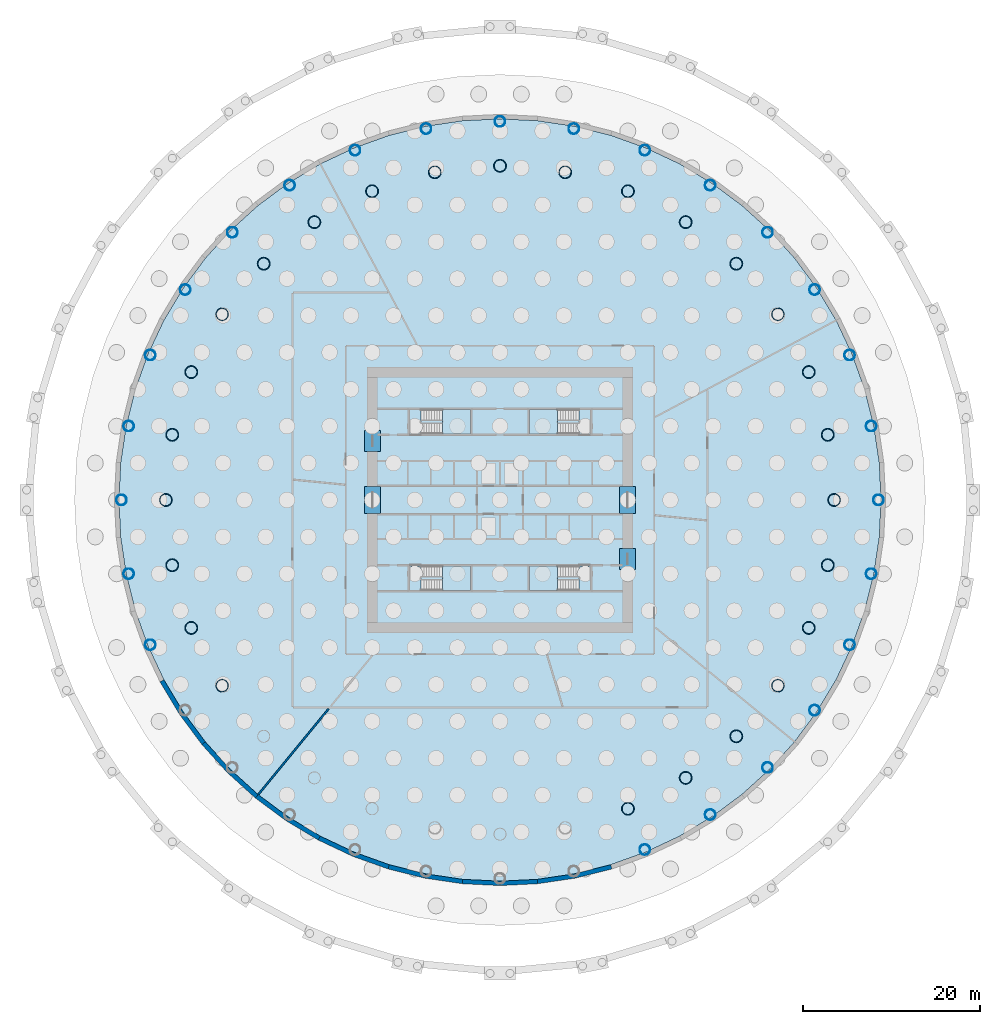
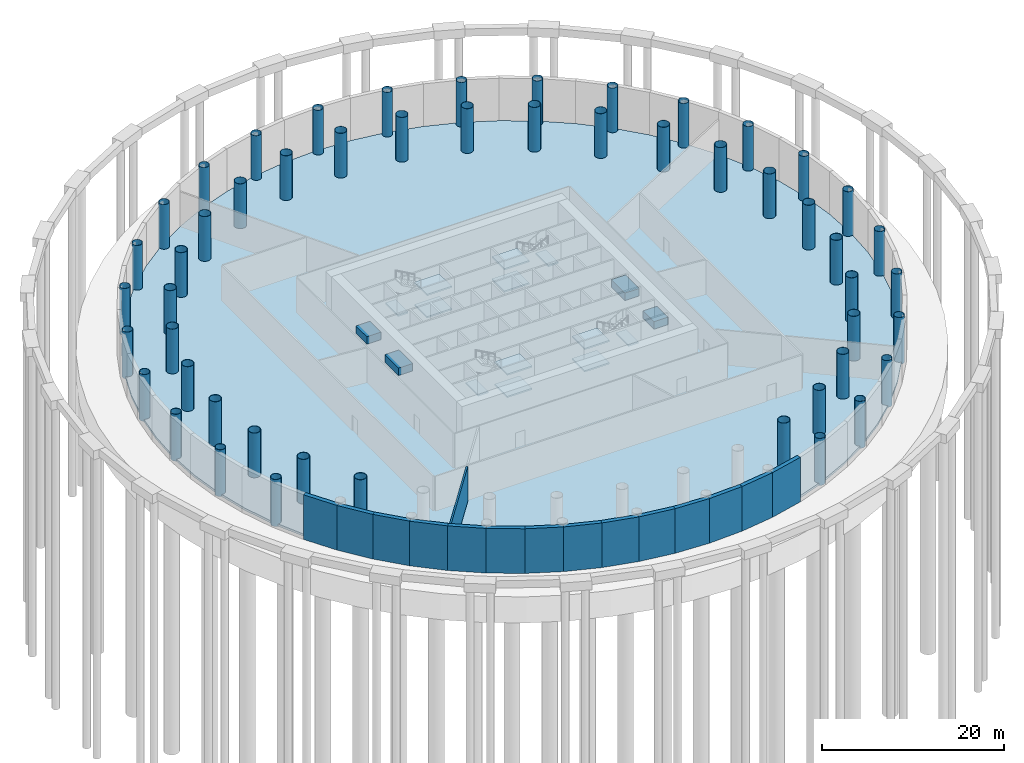
# One storey, part 4 of 12: 51 columns, 15 walls, 13 slabs, 4 beams, 4 elements without a shape of their own.
"""IFC4 building model written with IfcOpenShell, lengths in metres."""

from ifc_helpers import new_model, si_unit, direction, frame, frame_2d, origin, origin_2d, place, context, subcontext, project, spatial, polyline, rectangle, hollow_circle, outline, extrude, material, layer, layer_set, material_profile, profile_set, type_object, element, aggregate, save


model = new_model("IFC4")

# Units and contexts
model_context = context("Model", 3, precision=1e-05, world=origin(), true_north=direction((0.0, 1.0)))
body_context = subcontext(model_context, "Body", "Model", "MODEL_VIEW")
ifc_project = project(units=[si_unit("LENGTHUNIT", "METRE"), si_unit("AREAUNIT", "SQUARE_METRE"), si_unit("VOLUMEUNIT", "CUBIC_METRE"), si_unit("PLANEANGLEUNIT", "RADIAN"), si_unit("MASSUNIT", "GRAM", prefix="KILO")], contexts=[model_context])

# Site, building, storey
site_placement = place(None, origin())
site = spatial("IfcSite", under=ifc_project, at=site_placement, CompositionType="ELEMENT")
building_placement = place(site_placement, origin())
building = spatial("IfcBuilding", under=site, at=building_placement, Name="Corvane Civic Tower", CompositionType="ELEMENT")
storey_placement = place(building_placement, frame((0.0, 0.0, -6.0)))
storey = spatial("IfcBuildingStorey", under=building, at=storey_placement, Name="B1", CompositionType="ELEMENT", Elevation=-6.0)

# Columns
ifc_material_1 = material(Name="Steel ASTM A572 Gr 50", Category="steel")
ifc_material_profile_1 = material_profile(ifc_material_1, hollow_circle(Radius=0.60009765625, WallThickness=0.035888671875, at=origin_2d()), Name="CHS1200X36")
ifc_profile_set_1 = profile_set([ifc_material_profile_1], Name="Steel ASTM A572 Gr 50")
column_type_1 = type_object("IfcColumnType", Name="COMPOSITE COLUMN CHS1200X36", PredefinedType="COLUMN", material=ifc_profile_set_1)
for number, where, z_axis, x_axis, name in (
    (1, (0.0, 42.699951171875, -0.300048828125), (0.0, 0.0, 1.0), (1.0, 0.0, 0.0), "COL-B1-G01"),
    (2, (8.330322265625, 41.879638671875, -0.300048828125), (0.0, 0.0, 1.0), (1.0, 0.0, 0.0), "COL-B1-G02"),
    (3, (16.340576171875, 39.44970703125, -0.300048828125), (0.0, 0.0, 1.0), (1.0, 0.0, 0.0), "COL-B1-G03"),
    (4, (23.722900390625, 35.503662109375, -0.300048828125), (0.0, 0.0, 1.0), (1.0, 0.0, 0.0), "COL-B1-G04"),
    (5, (30.193359375, 30.193359375, -0.300048828125), (0.0, 0.0, 1.0), (1.0, 0.0, 0.0), "COL-B1-G05"),
    (6, (35.503662109375, 23.722900390625, -0.300048828125), (0.0, 0.0, 1.0), (1.0, 0.0, 0.0), "COL-B1-G06"),
    (7, (39.44970703125, 16.340576171875, -0.300048828125), (0.0, 0.0, 1.0), (1.0, 0.0, 0.0), "COL-B1-G07"),
    (8, (41.879638671875, 8.330322265625, -0.300048828125), (0.0, 0.0, 1.0), (1.0, 0.0, 0.0), "COL-B1-G08"),
    (9, (42.699951171875, 0.0, -0.300048828125), (0.0, 0.0, 1.0), (1.0, 0.0, 0.0), "COL-B1-G09"),
    (10, (41.879638671875, -8.330322265625, -0.300048828125), (0.0, 0.0, 1.0), (1.0, 0.0, 0.0), "COL-B1-G10"),
    (11, (39.44970703125, -16.340576171875, -0.300048828125), (0.0, 0.0, 1.0), (1.0, 0.0, 0.0), "COL-B1-G11"),
    (12, (35.503662109375, -23.722900390625, -0.300048828125), (0.0, 0.0, 1.0), (1.0, 0.0, 0.0), "COL-B1-G12"),
    (13, (30.193359375, -30.193359375, -0.300048828125), (0.0, 0.0, 1.0), (1.0, 0.0, 0.0), "COL-B1-G13"),
    (14, (23.722900390625, -35.503662109375, -0.300048828125), (0.0, 0.0, 1.0), (1.0, 0.0, 0.0), "COL-B1-G14"),
    (15, (16.340576171875, -39.44970703125, -0.300048828125), (0.0, 0.0, 1.0), (1.0, 0.0, 0.0), "COL-B1-G15"),
    (16, (-39.44970703125, -16.340576171875, -0.300048828125), (0.0, 0.0, 1.0), (1.0, 0.0, 0.0), "COL-B1-G23"),
    (17, (-41.879638671875, -8.330322265625, -0.300048828125), (0.0, 0.0, 1.0), (1.0, 0.0, 0.0), "COL-B1-G24"),
    (18, (-42.699951171875, 0.0, -0.300048828125), (0.0, 0.0, 1.0), (1.0, 0.0, 0.0), "COL-B1-G25"),
    (19, (-41.879638671875, 8.330322265625, -0.300048828125), (0.0, 0.0, 1.0), (1.0, 0.0, 0.0), "COL-B1-G26"),
    (20, (-39.44970703125, 16.340576171875, -0.300048828125), (0.0, 0.0, 1.0), (1.0, 0.0, 0.0), "COL-B1-G27"),
    (21, (-35.503662109375, 23.722900390625, -0.300048828125), (0.0, 0.0, 1.0), (1.0, 0.0, 0.0), "COL-B1-G28"),
    (22, (-30.193359375, 30.193359375, -0.300048828125), (0.0, 0.0, 1.0), (1.0, 0.0, 0.0), "COL-B1-G29"),
    (23, (-23.722900390625, 35.503662109375, -0.300048828125), (0.0, 0.0, 1.0), (1.0, 0.0, 0.0), "COL-B1-G30"),
    (24, (-16.340576171875, 39.44970703125, -0.300048828125), (0.0, 0.0, 1.0), (1.0, 0.0, 0.0), "COL-B1-G31"),
    (25, (-8.330322265625, 41.879638671875, -0.300048828125), (0.0, 0.0, 1.0), (1.0, 0.0, 0.0), "COL-B1-G32"),
):
    element("IfcColumn", number, at=place(storey_placement, frame(where, z_axis=z_axis, x_axis=x_axis)), inside=storey, type_object=column_type_1, Name=name, PredefinedType="COLUMN", context=body_context, shape_type="SweptSolid", body=[
        extrude(hollow_circle(Radius=0.60009765625, WallThickness=0.035888671875, at=origin_2d()), origin(), (0.0, 0.0, 1.0), 6.300048828125),
    ])
ifc_material_2 = material(Name="Steel ASTM A572 Gr 50", Category="steel")
ifc_material_profile_2 = material_profile(ifc_material_2, hollow_circle(Radius=0.699951171875, WallThickness=0.0400390625, at=origin_2d()), Name="CHS1400X40")
ifc_profile_set_2 = profile_set([ifc_material_profile_2], Name="Steel ASTM A572 Gr 50")
column_type_2 = type_object("IfcColumnType", Name="COMPOSITE COLUMN CHS1400X40", PredefinedType="COLUMN", material=ifc_profile_set_2)
for number, where, z_axis, x_axis, name in (
    (26, (0.0, 37.699951171875, -0.300048828125), (0.0, 0.0, 1.0), (1.0, 0.0, 0.0), "COL-B1-A01"),
    (27, (7.35498046875, 36.9755859375, -0.300048828125), (0.0, 0.0, 1.0), (1.0, 0.0, 0.0), "COL-B1-A02"),
    (28, (14.42724609375, 34.830322265625, -0.300048828125), (0.0, 0.0, 1.0), (1.0, 0.0, 0.0), "COL-B1-A03"),
    (29, (20.945068359375, 31.346435546875, -0.300048828125), (0.0, 0.0, 1.0), (1.0, 0.0, 0.0), "COL-B1-A04"),
    (30, (26.657958984375, 26.657958984375, -0.300048828125), (0.0, 0.0, 1.0), (1.0, 0.0, 0.0), "COL-B1-A05"),
    (31, (31.346435546875, 20.945068359375, -0.300048828125), (0.0, 0.0, 1.0), (1.0, 0.0, 0.0), "COL-B1-A06"),
    (32, (34.830322265625, 14.42724609375, -0.300048828125), (0.0, 0.0, 1.0), (1.0, 0.0, 0.0), "COL-B1-A07"),
    (33, (36.9755859375, 7.35498046875, -0.300048828125), (0.0, 0.0, 1.0), (1.0, 0.0, 0.0), "COL-B1-A08"),
    (34, (37.699951171875, 0.0, -0.300048828125), (0.0, 0.0, 1.0), (1.0, 0.0, 0.0), "COL-B1-A09"),
    (35, (36.9755859375, -7.35498046875, -0.300048828125), (0.0, 0.0, 1.0), (1.0, 0.0, 0.0), "COL-B1-A10"),
    (36, (34.830322265625, -14.42724609375, -0.300048828125), (0.0, 0.0, 1.0), (1.0, 0.0, 0.0), "COL-B1-A11"),
    (37, (31.346435546875, -20.945068359375, -0.300048828125), (0.0, 0.0, 1.0), (1.0, 0.0, 0.0), "COL-B1-A12"),
    (38, (26.657958984375, -26.657958984375, -0.300048828125), (0.0, 0.0, 1.0), (1.0, 0.0, 0.0), "COL-B1-A13"),
    (39, (20.945068359375, -31.346435546875, -0.300048828125), (0.0, 0.0, 1.0), (1.0, 0.0, 0.0), "COL-B1-A14"),
    (40, (14.42724609375, -34.830322265625, -0.300048828125), (0.0, 0.0, 1.0), (1.0, 0.0, 0.0), "COL-B1-A15"),
    (41, (-31.346435546875, -20.945068359375, -0.300048828125), (0.0, 0.0, 1.0), (1.0, 0.0, 0.0), "COL-B1-A22"),
    (42, (-34.830322265625, -14.42724609375, -0.300048828125), (0.0, 0.0, 1.0), (1.0, 0.0, 0.0), "COL-B1-A23"),
    (43, (-36.9755859375, -7.35498046875, -0.300048828125), (0.0, 0.0, 1.0), (1.0, 0.0, 0.0), "COL-B1-A24"),
    (44, (-37.699951171875, 0.0, -0.300048828125), (0.0, 0.0, 1.0), (1.0, 0.0, 0.0), "COL-B1-A25"),
    (45, (-36.9755859375, 7.35498046875, -0.300048828125), (0.0, 0.0, 1.0), (1.0, 0.0, 0.0), "COL-B1-A26"),
    (46, (-34.830322265625, 14.42724609375, -0.300048828125), (0.0, 0.0, 1.0), (1.0, 0.0, 0.0), "COL-B1-A27"),
    (47, (-31.346435546875, 20.945068359375, -0.300048828125), (0.0, 0.0, 1.0), (1.0, 0.0, 0.0), "COL-B1-A28"),
    (48, (-26.657958984375, 26.657958984375, -0.300048828125), (0.0, 0.0, 1.0), (1.0, 0.0, 0.0), "COL-B1-A29"),
    (49, (-20.945068359375, 31.346435546875, -0.300048828125), (0.0, 0.0, 1.0), (1.0, 0.0, 0.0), "COL-B1-A30"),
    (50, (-14.42724609375, 34.830322265625, -0.300048828125), (0.0, 0.0, 1.0), (1.0, 0.0, 0.0), "COL-B1-A31"),
    (51, (-7.35498046875, 36.9755859375, -0.300048828125), (0.0, 0.0, 1.0), (1.0, 0.0, 0.0), "COL-B1-A32"),
):
    element("IfcColumn", number, at=place(storey_placement, frame(where, z_axis=z_axis, x_axis=x_axis)), inside=storey, type_object=column_type_2, Name=name, PredefinedType="COLUMN", context=body_context, shape_type="SweptSolid", body=[
        extrude(hollow_circle(Radius=0.699951171875, WallThickness=0.0400390625, at=origin_2d()), origin(), (0.0, 0.0, 1.0), 6.300048828125),
    ])

# Beams
ifc_material_3 = material(Name="Concrete C80/95", Category="concrete")
ifc_material_profile_3 = material_profile(ifc_material_3, rectangle(XDim=1.800048828125, YDim=1.0, at=origin_2d()), Name="COUPLING BEAM 1800X1000")
ifc_profile_set_3 = profile_set([ifc_material_profile_3], Name="Concrete C80/95")
beam_type = type_object("IfcBeamType", Name="COUPLING BEAM COUPLING BEAM 1800X1000", PredefinedType="BEAM", material=ifc_profile_set_3)
for number, where, z_axis, x_axis, name in (
    (52, (-14.39990234375, -1.5, 2.60009765625), (0.0, 1.0, 0.0), (-1.0, 0.0, 0.0), "BM-B1-cpl-CW-LW"),
    (53, (14.39990234375, -1.5, 2.60009765625), (0.0, 1.0, 0.0), (-1.0, 0.0, 0.0), "BM-B1-cpl-CW-LE"),
):
    element("IfcBeam", number, at=place(storey_placement, frame(where, z_axis=z_axis, x_axis=x_axis)), inside=storey, type_object=beam_type, Name=name, PredefinedType="BEAM", context=body_context, shape_type="SweptSolid", body=[
        extrude(rectangle(XDim=1.800048828125, YDim=1.0, at=origin_2d()), origin(), (0.0, 0.0, 1.0), 3.0),
    ])
for number, where, z_axis, x_axis, name in (
    (54, (-14.39990234375, 5.449951171875, 2.60009765625), (0.0, 1.0, 0.0), (-1.0, 0.0, 0.0), "BM-B1-cpl-CW-WN"),
    (55, (14.39990234375, -7.85009765625, 2.60009765625), (0.0, 1.0, 0.0), (-1.0, 0.0, 0.0), "BM-B1-cpl-CW-ES"),
):
    element("IfcBeam", number, at=place(storey_placement, frame(where, z_axis=z_axis, x_axis=x_axis)), inside=storey, type_object=beam_type, Name=name, PredefinedType="BEAM", context=body_context, shape_type="SweptSolid", body=[
        extrude(rectangle(XDim=1.800048828125, YDim=1.0, at=origin_2d()), origin(), (0.0, 0.0, 1.0), 2.400146484375),
    ])

# Slab
ifc_material_4 = material(Name="Concrete C40/50", Category="concrete")
ifc_layer_1 = layer(ifc_material_4, 0.300048828125)
ifc_layer_set_1 = layer_set([ifc_layer_1], Name="Concrete C40/50")
slab_type_1 = type_object("IfcSlabType", Name="BASEMENT FLOOR SLAB 300", PredefinedType="BASESLAB", material=ifc_layer_set_1)
slab_1_placement = place(storey_placement, frame((0.0, 0.0, -0.300048828125)))
element("IfcSlab", 56, at=slab_1_placement, inside=storey, type_object=slab_type_1, Name="SLB-B1", PredefinedType="BASESLAB", context=body_context, shape_type="SweptSolid", body=[
    extrude(outline(polyline([(0.0, 43.0), (-4.21484375, 42.79296875), (-8.388916015625, 42.173828125), (-12.482177734375, 41.1484375), (-16.455322265625, 39.726806640625), (-20.27001953125, 37.922607421875), (-23.889404296875, 35.753173828125), (-27.27880859375, 33.239501953125), (-30.405517578125, 30.405517578125), (-33.239501953125, 27.27880859375), (-35.753173828125, 23.889404296875), (-37.922607421875, 20.27001953125), (-39.726806640625, 16.455322265625), (-41.1484375, 12.482177734375), (-42.173828125, 8.388916015625), (-42.79296875, 4.21484375), (-43.0, 0.0), (-42.79296875, -4.21484375), (-42.173828125, -8.388916015625), (-41.1484375, -12.482177734375), (-39.726806640625, -16.455322265625), (-37.922607421875, -20.27001953125), (-35.753173828125, -23.889404296875), (-33.239501953125, -27.27880859375), (-30.405517578125, -30.405517578125), (-27.27880859375, -33.239501953125), (-23.889404296875, -35.753173828125), (-20.27001953125, -37.922607421875), (-16.455322265625, -39.726806640625), (-12.482177734375, -41.1484375), (-8.388916015625, -42.173828125), (-4.21484375, -42.79296875), (0.0, -43.0), (4.21484375, -42.79296875), (8.388916015625, -42.173828125), (12.482177734375, -41.1484375), (16.455322265625, -39.726806640625), (20.27001953125, -37.922607421875), (23.889404296875, -35.753173828125), (27.27880859375, -33.239501953125), (30.405517578125, -30.405517578125), (33.239501953125, -27.27880859375), (35.753173828125, -23.889404296875), (37.922607421875, -20.27001953125), (39.726806640625, -16.455322265625), (41.1484375, -12.482177734375), (42.173828125, -8.388916015625), (42.79296875, -4.21484375), (43.0, 0.0), (42.79296875, 4.21484375), (42.173828125, 8.388916015625), (41.1484375, 12.482177734375), (39.726806640625, 16.455322265625), (37.922607421875, 20.27001953125), (35.753173828125, 23.889404296875), (33.239501953125, 27.27880859375), (30.405517578125, 30.405517578125), (27.27880859375, 33.239501953125), (23.889404296875, 35.753173828125), (20.27001953125, 37.922607421875), (16.455322265625, 39.726806640625), (12.482177734375, 41.1484375), (8.388916015625, 42.173828125), (4.21484375, 42.79296875), (0.0, 43.0)])), origin(), (0.0, 0.0, 1.0), 0.300048828125),
])

# Stair, slabs
ifc_material_5 = material(Name="Concrete C40/50", Category="concrete")
stair_type = type_object("IfcStairType", Name="ST-STAIR-HALFTURN", PredefinedType="HALF_TURN_STAIR", material=ifc_material_5)
stair_1_placement = place(storey_placement, origin())
stair_1 = element("IfcStair", 57, at=stair_1_placement, inside=storey, type_object=stair_type, Name="B1 Exit stair ST1", PredefinedType="HALF_TURN_STAIR")
ifc_material_6 = material(Name="Concrete C40/50", Category="concrete")
ifc_layer_2 = layer(ifc_material_6, 0.199951171875)
ifc_layer_set_2 = layer_set([ifc_layer_2], Name="Concrete C40/50")
slab_type_2 = type_object("IfcSlabType", Name="ST-LANDING-RC", PredefinedType="LANDING", material=ifc_layer_set_2)
slab_2_placement = place(storey_placement, frame((0.0, 0.0, 1.300048828125)))
slab_2 = element("IfcSlab", 58, at=slab_2_placement, type_object=slab_type_2, Name="ST1 landing 1", PredefinedType="LANDING", context=body_context, shape_type="SweptSolid", body=[
    extrude(outline(polyline([(6.5, 10.199951171875), (3.35009765625, 10.199951171875), (3.35009765625, 7.449951171875), (6.5, 7.449951171875), (6.5, 10.199951171875)])), origin(), (0.0, 0.0, 1.0), 0.199951171875),
])
slab_3_placement = place(storey_placement, frame((0.0, 0.0, 2.800048828125)))
slab_3 = element("IfcSlab", 59, at=slab_3_placement, type_object=slab_type_2, Name="ST1 landing 2", PredefinedType="LANDING", context=body_context, shape_type="SweptSolid", body=[
    extrude(outline(polyline([(10.199951171875, 10.199951171875), (8.89990234375, 10.199951171875), (8.89990234375, 7.449951171875), (10.199951171875, 7.449951171875), (10.199951171875, 10.199951171875)])), origin(), (0.0, 0.0, 1.0), 0.199951171875),
])
slab_4_placement = place(storey_placement, frame((0.0, 0.0, 4.300048828125)))
slab_4 = element("IfcSlab", 60, at=slab_4_placement, type_object=slab_type_2, Name="ST1 landing 3", PredefinedType="LANDING", context=body_context, shape_type="SweptSolid", body=[
    extrude(outline(polyline([(6.5, 10.199951171875), (3.35009765625, 10.199951171875), (3.35009765625, 7.449951171875), (6.5, 7.449951171875), (6.5, 10.199951171875)])), origin(), (0.0, 0.0, 1.0), 0.199951171875),
])
aggregate(stair_1, [slab_2, slab_3, slab_4])

stair_2_placement = place(storey_placement, origin())
stair_2 = element("IfcStair", 61, at=stair_2_placement, inside=storey, type_object=stair_type, Name="B1 Exit stair ST2", PredefinedType="HALF_TURN_STAIR")
slab_5_placement = place(storey_placement, frame((0.0, 0.0, 1.300048828125)))
slab_5 = element("IfcSlab", 62, at=slab_5_placement, type_object=slab_type_2, Name="ST2 landing 1", PredefinedType="LANDING", context=body_context, shape_type="SweptSolid", body=[
    extrude(outline(polyline([(6.5, -7.449951171875), (3.35009765625, -7.449951171875), (3.35009765625, -10.199951171875), (6.5, -10.199951171875), (6.5, -7.449951171875)])), origin(), (0.0, 0.0, 1.0), 0.199951171875),
])
slab_6_placement = place(storey_placement, frame((0.0, 0.0, 2.800048828125)))
slab_6 = element("IfcSlab", 63, at=slab_6_placement, type_object=slab_type_2, Name="ST2 landing 2", PredefinedType="LANDING", context=body_context, shape_type="SweptSolid", body=[
    extrude(outline(polyline([(10.199951171875, -7.449951171875), (8.89990234375, -7.449951171875), (8.89990234375, -10.199951171875), (10.199951171875, -10.199951171875), (10.199951171875, -7.449951171875)])), origin(), (0.0, 0.0, 1.0), 0.199951171875),
])
slab_7_placement = place(storey_placement, frame((0.0, 0.0, 4.300048828125)))
slab_7 = element("IfcSlab", 64, at=slab_7_placement, type_object=slab_type_2, Name="ST2 landing 3", PredefinedType="LANDING", context=body_context, shape_type="SweptSolid", body=[
    extrude(outline(polyline([(6.5, -7.449951171875), (3.35009765625, -7.449951171875), (3.35009765625, -10.199951171875), (6.5, -10.199951171875), (6.5, -7.449951171875)])), origin(), (0.0, 0.0, 1.0), 0.199951171875),
])
aggregate(stair_2, [slab_5, slab_6, slab_7])

stair_3_placement = place(storey_placement, origin())
stair_3 = element("IfcStair", 65, at=stair_3_placement, inside=storey, type_object=stair_type, Name="B1 Exit stair ST3", PredefinedType="HALF_TURN_STAIR")
slab_8_placement = place(storey_placement, frame((0.0, 0.0, 1.300048828125)))
slab_8 = element("IfcSlab", 66, at=slab_8_placement, type_object=slab_type_2, Name="ST3 landing 1", PredefinedType="LANDING", context=body_context, shape_type="SweptSolid", body=[
    extrude(outline(polyline([(-6.5, -10.199951171875), (-3.35009765625, -10.199951171875), (-3.35009765625, -7.449951171875), (-6.5, -7.449951171875), (-6.5, -10.199951171875)])), origin(), (0.0, 0.0, 1.0), 0.199951171875),
])
slab_9_placement = place(storey_placement, frame((0.0, 0.0, 2.800048828125)))
slab_9 = element("IfcSlab", 67, at=slab_9_placement, type_object=slab_type_2, Name="ST3 landing 2", PredefinedType="LANDING", context=body_context, shape_type="SweptSolid", body=[
    extrude(outline(polyline([(-10.199951171875, -10.199951171875), (-8.89990234375, -10.199951171875), (-8.89990234375, -7.449951171875), (-10.199951171875, -7.449951171875), (-10.199951171875, -10.199951171875)])), origin(), (0.0, 0.0, 1.0), 0.199951171875),
])
slab_10_placement = place(storey_placement, frame((0.0, 0.0, 4.300048828125)))
slab_10 = element("IfcSlab", 68, at=slab_10_placement, type_object=slab_type_2, Name="ST3 landing 3", PredefinedType="LANDING", context=body_context, shape_type="SweptSolid", body=[
    extrude(outline(polyline([(-6.5, -10.199951171875), (-3.35009765625, -10.199951171875), (-3.35009765625, -7.449951171875), (-6.5, -7.449951171875), (-6.5, -10.199951171875)])), origin(), (0.0, 0.0, 1.0), 0.199951171875),
])
aggregate(stair_3, [slab_8, slab_9, slab_10])

stair_4_placement = place(storey_placement, origin())
stair_4 = element("IfcStair", 69, at=stair_4_placement, inside=storey, type_object=stair_type, Name="B1 Exit stair ST4", PredefinedType="HALF_TURN_STAIR")
slab_11_placement = place(storey_placement, frame((0.0, 0.0, 1.300048828125)))
slab_11 = element("IfcSlab", 70, at=slab_11_placement, type_object=slab_type_2, Name="ST4 landing 1", PredefinedType="LANDING", context=body_context, shape_type="SweptSolid", body=[
    extrude(outline(polyline([(-6.5, 7.449951171875), (-3.35009765625, 7.449951171875), (-3.35009765625, 10.199951171875), (-6.5, 10.199951171875), (-6.5, 7.449951171875)])), origin(), (0.0, 0.0, 1.0), 0.199951171875),
])
slab_12_placement = place(storey_placement, frame((0.0, 0.0, 2.800048828125)))
slab_12 = element("IfcSlab", 71, at=slab_12_placement, type_object=slab_type_2, Name="ST4 landing 2", PredefinedType="LANDING", context=body_context, shape_type="SweptSolid", body=[
    extrude(outline(polyline([(-10.199951171875, 7.449951171875), (-8.89990234375, 7.449951171875), (-8.89990234375, 10.199951171875), (-10.199951171875, 10.199951171875), (-10.199951171875, 7.449951171875)])), origin(), (0.0, 0.0, 1.0), 0.199951171875),
])
slab_13_placement = place(storey_placement, frame((0.0, 0.0, 4.300048828125)))
slab_13 = element("IfcSlab", 72, at=slab_13_placement, type_object=slab_type_2, Name="ST4 landing 3", PredefinedType="LANDING", context=body_context, shape_type="SweptSolid", body=[
    extrude(outline(polyline([(-6.5, 7.449951171875), (-3.35009765625, 7.449951171875), (-3.35009765625, 10.199951171875), (-6.5, 10.199951171875), (-6.5, 7.449951171875)])), origin(), (0.0, 0.0, 1.0), 0.199951171875),
])
aggregate(stair_4, [slab_11, slab_12, slab_13])

# Walls
ifc_material_7 = material(Name="Concrete C40/50", Category="concrete")
ifc_layer_3 = layer(ifc_material_7, 0.5)
ifc_layer_set_3 = layer_set([ifc_layer_3], Name="Concrete C40/50")
wall_type_1 = type_object("IfcWallType", Name="BASEMENT RETAINING WALL 500", PredefinedType="SOLIDWALL", material=ifc_layer_set_3)
wall_1_placement = place(storey_placement, frame((0.0, 0.0, -0.300048828125)))
element("IfcWall", 73, at=wall_1_placement, inside=storey, type_object=wall_type_1, Name="Basement retaining wall 22", PredefinedType="SOLIDWALL", context=body_context, shape_type="SweptSolid", body=[
    extrude(outline(polyline([(-37.922607421875, -20.27001953125), (-35.753173828125, -23.889404296875), (-36.16943359375, -24.167724609375), (-38.364013671875, -20.506103515625), (-37.922607421875, -20.27001953125)])), origin(), (0.0, 0.0, 1.0), 6.0),
])
wall_2_placement = place(storey_placement, frame((0.0, 0.0, -0.300048828125)))
element("IfcWall", 74, at=wall_2_placement, inside=storey, type_object=wall_type_1, Name="Basement retaining wall 23", PredefinedType="SOLIDWALL", context=body_context, shape_type="SweptSolid", body=[
    extrude(outline(polyline([(-35.753173828125, -23.889404296875), (-33.239501953125, -27.27880859375), (-33.62646484375, -27.596435546875), (-36.16943359375, -24.167724609375), (-35.753173828125, -23.889404296875)])), origin(), (0.0, 0.0, 1.0), 6.0),
])
wall_3_placement = place(storey_placement, frame((0.0, 0.0, -0.300048828125)))
element("IfcWall", 75, at=wall_3_placement, inside=storey, type_object=wall_type_1, Name="Basement retaining wall 24", PredefinedType="SOLIDWALL", context=body_context, shape_type="SweptSolid", body=[
    extrude(outline(polyline([(-33.239501953125, -27.27880859375), (-30.405517578125, -30.405517578125), (-30.759521484375, -30.759521484375), (-33.62646484375, -27.596435546875), (-33.239501953125, -27.27880859375)])), origin(), (0.0, 0.0, 1.0), 6.0),
])
wall_4_placement = place(storey_placement, frame((0.0, 0.0, -0.300048828125)))
element("IfcWall", 76, at=wall_4_placement, inside=storey, type_object=wall_type_1, Name="Basement retaining wall 25", PredefinedType="SOLIDWALL", context=body_context, shape_type="SweptSolid", body=[
    extrude(outline(polyline([(-30.405517578125, -30.405517578125), (-27.27880859375, -33.239501953125), (-27.596435546875, -33.62646484375), (-30.759521484375, -30.759521484375), (-30.405517578125, -30.405517578125)])), origin(), (0.0, 0.0, 1.0), 6.0),
])
wall_5_placement = place(storey_placement, frame((0.0, 0.0, -0.300048828125)))
element("IfcWall", 77, at=wall_5_placement, inside=storey, type_object=wall_type_1, Name="Basement retaining wall 26", PredefinedType="SOLIDWALL", context=body_context, shape_type="SweptSolid", body=[
    extrude(outline(polyline([(-27.27880859375, -33.239501953125), (-23.889404296875, -35.753173828125), (-24.167724609375, -36.16943359375), (-27.596435546875, -33.62646484375), (-27.27880859375, -33.239501953125)])), origin(), (0.0, 0.0, 1.0), 6.0),
])
wall_6_placement = place(storey_placement, frame((0.0, 0.0, -0.300048828125)))
element("IfcWall", 78, at=wall_6_placement, inside=storey, type_object=wall_type_1, Name="Basement retaining wall 27", PredefinedType="SOLIDWALL", context=body_context, shape_type="SweptSolid", body=[
    extrude(outline(polyline([(-23.889404296875, -35.753173828125), (-20.27001953125, -37.922607421875), (-20.506103515625, -38.364013671875), (-24.167724609375, -36.16943359375), (-23.889404296875, -35.753173828125)])), origin(), (0.0, 0.0, 1.0), 6.0),
])
wall_7_placement = place(storey_placement, frame((0.0, 0.0, -0.300048828125)))
element("IfcWall", 79, at=wall_7_placement, inside=storey, type_object=wall_type_1, Name="Basement retaining wall 28", PredefinedType="SOLIDWALL", context=body_context, shape_type="SweptSolid", body=[
    extrude(outline(polyline([(-20.27001953125, -37.922607421875), (-16.455322265625, -39.726806640625), (-16.64697265625, -40.189208984375), (-20.506103515625, -38.364013671875), (-20.27001953125, -37.922607421875)])), origin(), (0.0, 0.0, 1.0), 6.0),
])
wall_8_placement = place(storey_placement, frame((0.0, 0.0, -0.300048828125)))
element("IfcWall", 80, at=wall_8_placement, inside=storey, type_object=wall_type_1, Name="Basement retaining wall 29", PredefinedType="SOLIDWALL", context=body_context, shape_type="SweptSolid", body=[
    extrude(outline(polyline([(-16.455322265625, -39.726806640625), (-12.482177734375, -41.1484375), (-12.62744140625, -41.62744140625), (-16.64697265625, -40.189208984375), (-16.455322265625, -39.726806640625)])), origin(), (0.0, 0.0, 1.0), 6.0),
])
wall_9_placement = place(storey_placement, frame((0.0, 0.0, -0.300048828125)))
element("IfcWall", 81, at=wall_9_placement, inside=storey, type_object=wall_type_1, Name="Basement retaining wall 30", PredefinedType="SOLIDWALL", context=body_context, shape_type="SweptSolid", body=[
    extrude(outline(polyline([(-12.482177734375, -41.1484375), (-8.388916015625, -42.173828125), (-8.486572265625, -42.664794921875), (-12.62744140625, -41.62744140625), (-12.482177734375, -41.1484375)])), origin(), (0.0, 0.0, 1.0), 6.0),
])
wall_10_placement = place(storey_placement, frame((0.0, 0.0, -0.300048828125)))
element("IfcWall", 82, at=wall_10_placement, inside=storey, type_object=wall_type_1, Name="Basement retaining wall 31", PredefinedType="SOLIDWALL", context=body_context, shape_type="SweptSolid", body=[
    extrude(outline(polyline([(-8.388916015625, -42.173828125), (-4.21484375, -42.79296875), (-4.263916015625, -43.291015625), (-8.486572265625, -42.664794921875), (-8.388916015625, -42.173828125)])), origin(), (0.0, 0.0, 1.0), 6.0),
])
wall_11_placement = place(storey_placement, frame((0.0, 0.0, -0.300048828125)))
element("IfcWall", 83, at=wall_11_placement, inside=storey, type_object=wall_type_1, Name="Basement retaining wall 32", PredefinedType="SOLIDWALL", context=body_context, shape_type="SweptSolid", body=[
    extrude(outline(polyline([(-4.21484375, -42.79296875), (0.0, -43.0), (0.0, -43.50048828125), (-4.263916015625, -43.291015625), (-4.21484375, -42.79296875)])), origin(), (0.0, 0.0, 1.0), 6.0),
])
wall_12_placement = place(storey_placement, frame((0.0, 0.0, -0.300048828125)))
element("IfcWall", 84, at=wall_12_placement, inside=storey, type_object=wall_type_1, Name="Basement retaining wall 33", PredefinedType="SOLIDWALL", context=body_context, shape_type="SweptSolid", body=[
    extrude(outline(polyline([(0.0, -43.0), (4.21484375, -42.79296875), (4.263916015625, -43.291015625), (0.0, -43.50048828125), (0.0, -43.0)])), origin(), (0.0, 0.0, 1.0), 6.0),
])
wall_13_placement = place(storey_placement, frame((0.0, 0.0, -0.300048828125)))
element("IfcWall", 85, at=wall_13_placement, inside=storey, type_object=wall_type_1, Name="Basement retaining wall 34", PredefinedType="SOLIDWALL", context=body_context, shape_type="SweptSolid", body=[
    extrude(outline(polyline([(4.21484375, -42.79296875), (8.388916015625, -42.173828125), (8.486572265625, -42.664794921875), (4.263916015625, -43.291015625), (4.21484375, -42.79296875)])), origin(), (0.0, 0.0, 1.0), 6.0),
])
wall_14_placement = place(storey_placement, frame((0.0, 0.0, -0.300048828125)))
element("IfcWall", 86, at=wall_14_placement, inside=storey, type_object=wall_type_1, Name="Basement retaining wall 35", PredefinedType="SOLIDWALL", context=body_context, shape_type="SweptSolid", body=[
    extrude(outline(polyline([(8.388916015625, -42.173828125), (12.482177734375, -41.1484375), (12.62744140625, -41.62744140625), (8.486572265625, -42.664794921875), (8.388916015625, -42.173828125)])), origin(), (0.0, 0.0, 1.0), 6.0),
])
ifc_material_8 = material(Name="Gypsum fibreboard")
ifc_layer_4 = layer(ifc_material_8, 0.199951171875)
ifc_layer_set_4 = layer_set([ifc_layer_4], Name="Gypsum fibreboard")
wall_type_2 = type_object("IfcWallType", Name="Plant and refuge wall 200 EI 120", PredefinedType="PARTITIONING", material=ifc_layer_set_4)
wall_15_placement = place(storey_placement, frame((-27.279052734375, -33.23974609375, 0.0), z_axis=(0.0, 0.0, 1.0), x_axis=(0.634395810867, 0.773008379744, 0.0)))
element("IfcWall", 87, at=wall_15_placement, inside=storey, type_object=wall_type_2, Name="Partition B1.001", PredefinedType="PARTITIONING", context=body_context, shape_type="SweptSolid", body=[
    extrude(rectangle(XDim=12.517578125, YDim=0.199951171875, at=frame_2d((6.2587890625, 0.0))), origin(), (0.0, 0.0, 1.0), 4.699951171875),
])

save(model, "model.ifc")
